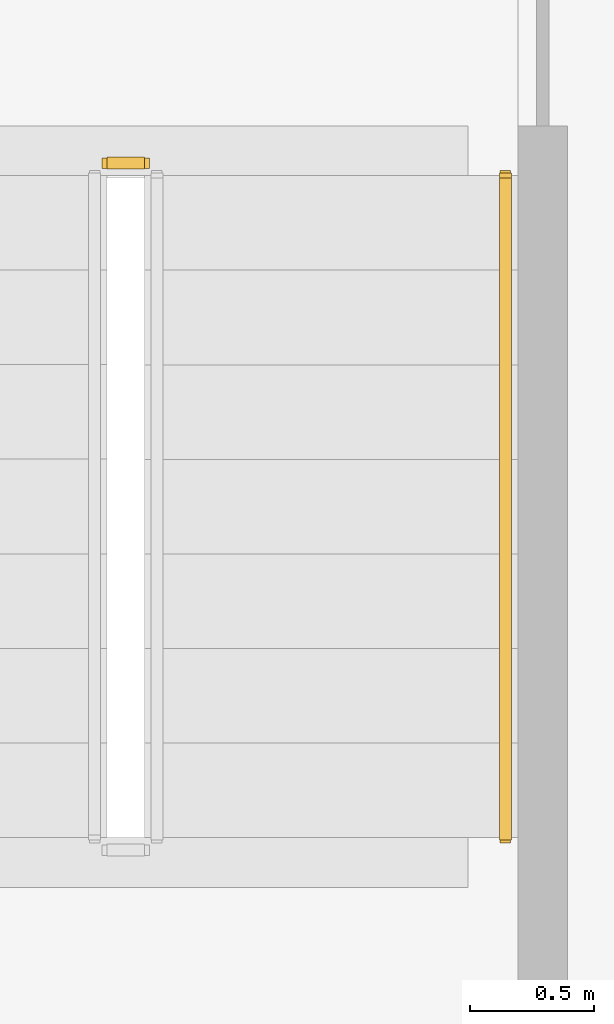
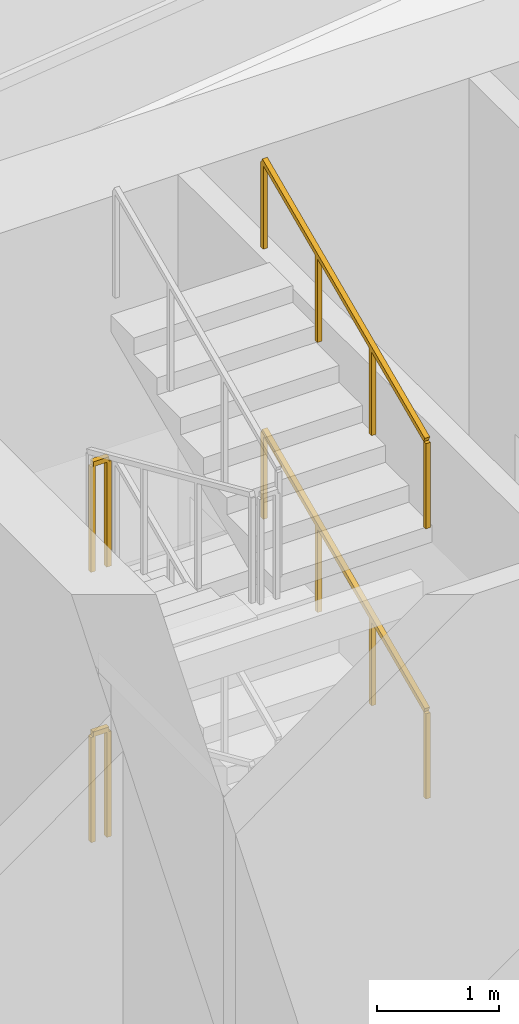
# One storey, part 16 of 18: 4 railings.
"""IFC4 building model written with IfcOpenShell, lengths in metres."""

from ifc_helpers import new_model, si_unit, direction, frame, origin, origin_2d, place, context, subcontext, project, spatial, rectangle, extrude, material, type_object, element, save


model = new_model("IFC4")

# Units and contexts
model_context = context("Model", 3, precision=1e-05, world=origin(), true_north=direction((0.0, 1.0)))
body_context = subcontext(model_context, "Body", "Model", "MODEL_VIEW")
ifc_project = project(units=[si_unit("LENGTHUNIT", "METRE"), si_unit("AREAUNIT", "SQUARE_METRE"), si_unit("VOLUMEUNIT", "CUBIC_METRE"), si_unit("PLANEANGLEUNIT", "RADIAN"), si_unit("MASSUNIT", "GRAM", prefix="KILO")], contexts=[model_context])

# Site, building, storey
site_placement = place(None, origin())
site = spatial("IfcSite", under=ifc_project, at=site_placement, CompositionType="ELEMENT")
building_placement = place(site_placement, origin())
building = spatial("IfcBuilding", under=site, at=building_placement, Name="Rattan Terrace Tower", CompositionType="ELEMENT")
storey_placement = place(building_placement, frame((0.0, 0.0, 208.10009765625)))
storey = spatial("IfcBuildingStorey", under=building, at=storey_placement, Name="L47", CompositionType="ELEMENT", Elevation=208.10009765625)

# Railings
ifc_material_1 = material(Name="Powder-coated steel guard", Category="steel")
railing_type_1 = type_object("IfcRailingType", Name="Core stair guard", PredefinedType="GUARDRAIL", material=ifc_material_1)
for number, where, name in (
    (1, (6.300048828125, 5.14990234375, 2.699951171875), "L47 S3 stair guard 4"),
    (2, (6.300048828125, 5.14990234375, 0.0), "L47 S3 stair guard 8"),
):
    element("IfcRailing", number, at=place(storey_placement, frame(where)), inside=storey, type_object=railing_type_1, Name=name, PredefinedType="GUARDRAIL", context=body_context, shape_type="SweptSolid", body=[
        extrude(rectangle(XDim=0.048095703125, YDim=0.048095703125, at=origin_2d()), frame((0.0, 0.0, 1.076171875), z_axis=(1.0, 0.0, 0.0), x_axis=(0.0, 1.0, 0.0)), (0.0, 0.0, 1.0), 0.14990234375),
        extrude(rectangle(XDim=0.0419921875, YDim=0.0419921875, at=origin_2d()), origin(), (0.0, 0.0, 1.0), 1.052001953125),
        extrude(rectangle(XDim=0.0419921875, YDim=0.0419921875, at=origin_2d()), frame((0.14990234375, 0.0, 0.0)), (0.0, 0.0, 1.0), 1.052001953125),
    ])
ifc_material_2 = material(Name="Powder-coated steel handrail", Category="steel")
railing_type_2 = type_object("IfcRailingType", Name="Core stair handrail", PredefinedType="HANDRAIL", material=ifc_material_2)
railing_1_placement = place(storey_placement, frame((7.89990234375, 2.43994140625, 1.5185546875)))
element("IfcRailing", 3, at=railing_1_placement, inside=storey, type_object=railing_type_2, Name="L47 S3 stair handrail 2", PredefinedType="HANDRAIL", context=body_context, shape_type="SweptSolid", body=[
    extrude(rectangle(XDim=0.048095703125, YDim=0.048095703125, at=origin_2d()), frame((0.0, 0.0, 0.8759765625), z_axis=(0.0, 0.913925654661, 0.405881630223), x_axis=(-1.0, 0.0, 0.0)), (0.0, 0.0, 1.0), 2.91064453125),
    extrude(rectangle(XDim=0.0419921875, YDim=0.0419921875, at=origin_2d()), origin(), (0.0, 0.0, 1.0), 0.851806640625),
    extrude(rectangle(XDim=0.0419921875, YDim=0.0419921875, at=origin_2d()), frame((0.0, 0.88671875, 0.393798828125)), (0.0, 0.0, 1.0), 0.851806640625),
    extrude(rectangle(XDim=0.0419921875, YDim=0.0419921875, at=origin_2d()), frame((0.0, 1.7734375, 0.78759765625)), (0.0, 0.0, 1.0), 0.851806640625),
    extrude(rectangle(XDim=0.0419921875, YDim=0.0419921875, at=origin_2d()), frame((0.0, 2.66015625, 1.181396484375)), (0.0, 0.0, 1.0), 0.851806640625),
])
railing_2_placement = place(storey_placement, frame((7.89990234375, 2.43994140625, 4.21875)))
element("IfcRailing", 4, at=railing_2_placement, inside=storey, type_object=railing_type_2, Name="L47 S3 stair handrail 4", PredefinedType="HANDRAIL", context=body_context, shape_type="SweptSolid", body=[
    extrude(rectangle(XDim=0.048095703125, YDim=0.048095703125, at=origin_2d()), frame((0.0, 0.0, 0.8759765625), z_axis=(0.0, 0.913956766905, 0.405811567391), x_axis=(-1.0, 0.0, 0.0)), (0.0, 0.0, 1.0), 2.91064453125),
    extrude(rectangle(XDim=0.0419921875, YDim=0.0419921875, at=origin_2d()), origin(), (0.0, 0.0, 1.0), 0.851806640625),
    extrude(rectangle(XDim=0.0419921875, YDim=0.0419921875, at=origin_2d()), frame((0.0, 0.88671875, 0.393798828125)), (0.0, 0.0, 1.0), 0.851806640625),
    extrude(rectangle(XDim=0.0419921875, YDim=0.0419921875, at=origin_2d()), frame((0.0, 1.7734375, 0.787353515625)), (0.0, 0.0, 1.0), 0.851806640625),
    extrude(rectangle(XDim=0.0419921875, YDim=0.0419921875, at=origin_2d()), frame((0.0, 2.66015625, 1.18115234375)), (0.0, 0.0, 1.0), 0.851806640625),
])

save(model, "model.ifc")
